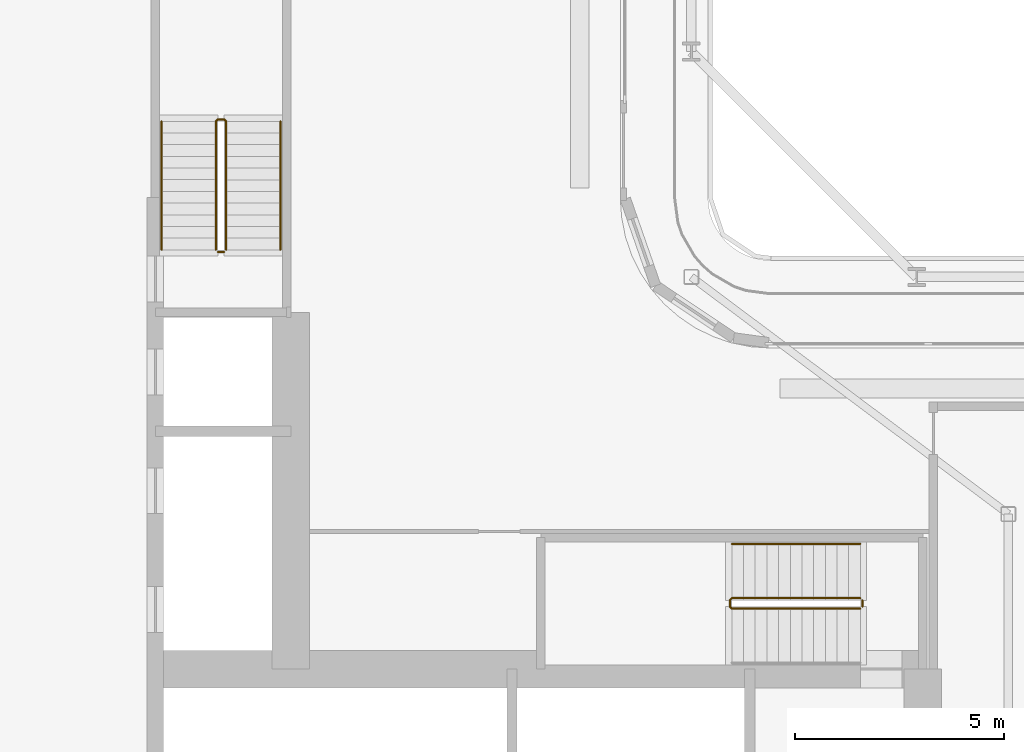
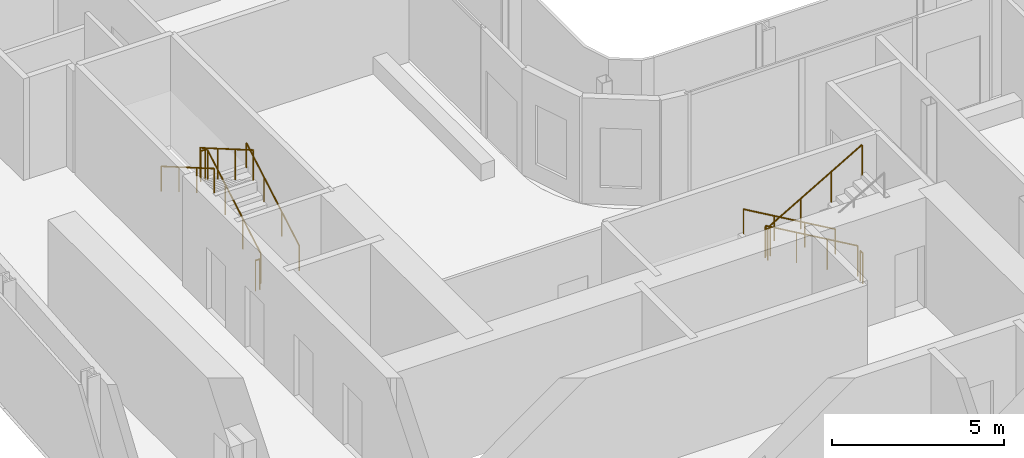
# One storey, part 20 of 25: 7 railings.
"""IFC4 building model written with IfcOpenShell, lengths in metres."""

from ifc_helpers import new_model, si_unit, direction, frame, origin, origin_2d, place, context, subcontext, project, spatial, circle, extrude, material, type_object, element, save


model = new_model("IFC4")

# Units and contexts
model_context = context("Model", 3, precision=1e-05, world=origin(), true_north=direction((0.0, 1.0)))
body_context = subcontext(model_context, "Body", "Model", "MODEL_VIEW")
ifc_project = project(units=[si_unit("LENGTHUNIT", "METRE"), si_unit("AREAUNIT", "SQUARE_METRE"), si_unit("VOLUMEUNIT", "CUBIC_METRE"), si_unit("PLANEANGLEUNIT", "RADIAN"), si_unit("MASSUNIT", "GRAM", prefix="KILO")], contexts=[model_context])

# Site, building, storey
site_placement = place(None, origin())
site = spatial("IfcSite", under=ifc_project, at=site_placement, CompositionType="ELEMENT")
building_placement = place(site_placement, origin())
building = spatial("IfcBuilding", under=site, at=building_placement, Name="Kheshtan School and Residences Tower", CompositionType="ELEMENT")
storey_placement = place(building_placement, frame((0.0, 0.0, 109.699951171875)))
storey = spatial("IfcBuildingStorey", under=building, at=storey_placement, Name="L25", CompositionType="ELEMENT", Elevation=109.699951171875)

# Railings
ifc_material_1 = material(Name="Stainless steel balustrade", Category="steel")
railing_type_1 = type_object("IfcRailingType", Name="Stair guard 1100", PredefinedType="GUARDRAIL", material=ifc_material_1)
railing_1_placement = place(storey_placement, frame((51.64990234375, 37.89990234375, 0.16259765625)))
element("IfcRailing", 1, at=railing_1_placement, inside=storey, type_object=railing_type_1, Name="L25 ST1 stair guard 1", PredefinedType="GUARDRAIL", context=body_context, shape_type="SweptSolid", body=[
    extrude(circle(Radius=0.02392578125, at=origin_2d()), frame((0.0, 0.0, 1.076171875), z_axis=(-0.864903211148, 0.0, 0.501938676878), x_axis=(0.0, -1.0, 0.0)), (0.0, 0.0, 1.0), 3.560791015625),
    extrude(circle(Radius=0.02392578125, at=origin_2d()), frame((-3.079833984375, 0.0, 2.86328125), z_axis=(-0.708833529934, -0.705375805398, 0.0), x_axis=(0.705375805398, -0.708833529934, 0.0)), (0.0, 0.0, 1.0), 0.070556640625),
    extrude(circle(Radius=0.02392578125, at=origin_2d()), frame((-3.1298828125, -0.0498046875, 2.86328125), z_axis=(0.0, -1.0, 0.0), x_axis=(1.0, 0.0, 0.0)), (0.0, 0.0, 1.0), 0.150146484375),
    extrude(circle(Radius=0.02392578125, at=origin_2d()), frame((-3.1298828125, -0.199951171875, 2.86328125), z_axis=(0.282227285176, -0.282227285176, 0.916894497205), x_axis=(0.707106781187, 0.707106781187, 0.0)), (0.0, 0.0, 1.0), 0.17724609375),
    extrude(circle(Radius=0.02392578125, at=origin_2d()), frame((-3.079833984375, -0.25, 3.02587890625), z_axis=(0.864873446163, 0.0, 0.501989962173), x_axis=(0.0, 1.0, 0.0)), (0.0, 0.0, 1.0), 3.56103515625),
    extrude(circle(Radius=0.02099609375, at=origin_2d()), origin(), (0.0, 0.0, 1.0), 1.052001953125),
    extrude(circle(Radius=0.02099609375, at=origin_2d()), frame((-1.026611328125, 0.0, 0.595703125)), (0.0, 0.0, 1.0), 1.052001953125),
    extrude(circle(Radius=0.02099609375, at=origin_2d()), frame((-2.05322265625, 0.0, 1.191650390625)), (0.0, 0.0, 1.0), 1.052001953125),
    extrude(circle(Radius=0.02099609375, at=origin_2d()), frame((-3.079833984375, 0.0, 1.787353515625)), (0.0, 0.0, 1.0), 1.052001953125),
    extrude(circle(Radius=0.02099609375, at=origin_2d()), frame((-3.1298828125, -0.0498046875, 1.787353515625)), (0.0, 0.0, 1.0), 1.052001953125),
    extrude(circle(Radius=0.02099609375, at=origin_2d()), frame((-3.1298828125, -0.199951171875, 1.787353515625)), (0.0, 0.0, 1.0), 1.052001953125),
    extrude(circle(Radius=0.02099609375, at=origin_2d()), frame((-3.079833984375, -0.25, 1.949951171875)), (0.0, 0.0, 1.0), 1.052001953125),
    extrude(circle(Radius=0.02099609375, at=origin_2d()), frame((-2.05322265625, -0.25, 2.5458984375)), (0.0, 0.0, 1.0), 1.052001953125),
    extrude(circle(Radius=0.02099609375, at=origin_2d()), frame((-1.026611328125, -0.25, 3.1416015625)), (0.0, 0.0, 1.0), 1.052001953125),
    extrude(circle(Radius=0.02099609375, at=origin_2d()), frame((0.0, -0.25, 3.737548828125)), (0.0, 0.0, 1.0), 1.052001953125),
])
railing_2_placement = place(storey_placement, frame((51.699951171875, 37.85009765625, 0.0)))
element("IfcRailing", 2, at=railing_2_placement, inside=storey, type_object=railing_type_1, Name="L25 ST1 stair guard 2", PredefinedType="GUARDRAIL", context=body_context, shape_type="SweptSolid", body=[
    extrude(circle(Radius=0.02392578125, at=origin_2d()), frame((0.0, 0.0, 1.076171875), z_axis=(0.0, -1.0, 0.0), x_axis=(1.0, 0.0, 0.0)), (0.0, 0.0, 1.0), 0.150146484375),
    extrude(circle(Radius=0.02099609375, at=origin_2d()), origin(), (0.0, 0.0, 1.0), 1.052001953125),
    extrude(circle(Radius=0.02099609375, at=origin_2d()), frame((0.0, -0.150146484375, 0.0)), (0.0, 0.0, 1.0), 1.052001953125),
])
railing_3_placement = place(storey_placement, frame((36.449951171875, 46.25, 0.16259765625)))
element("IfcRailing", 3, at=railing_3_placement, inside=storey, type_object=railing_type_1, Name="L25 ST2 stair guard 1", PredefinedType="GUARDRAIL", context=body_context, shape_type="SweptSolid", body=[
    extrude(circle(Radius=0.02392578125, at=origin_2d()), frame((0.0, 0.0, 1.076171875), z_axis=(0.0, 0.864920483161, 0.501908913857), x_axis=(-1.0, 0.0, 0.0)), (0.0, 0.0, 1.0), 3.56103515625),
    extrude(circle(Radius=0.02392578125, at=origin_2d()), frame((0.0, 3.080078125, 2.86328125), z_axis=(-0.708833529934, 0.705375805398, 0.0), x_axis=(-0.705375805398, -0.708833529934, 0.0)), (0.0, 0.0, 1.0), 0.070556640625),
    extrude(circle(Radius=0.02392578125, at=origin_2d()), frame((-0.050048828125, 3.1298828125, 2.86328125), z_axis=(-1.0, 0.0, 0.0), x_axis=(0.0, -1.0, 0.0)), (0.0, 0.0, 1.0), 0.14990234375),
    extrude(circle(Radius=0.02392578125, at=origin_2d()), frame((-0.199951171875, 3.1298828125, 2.86328125), z_axis=(-0.282336740067, -0.280959487676, 0.917250092119), x_axis=(0.705375805398, -0.708833529934, 0.0)), (0.0, 0.0, 1.0), 0.17724609375),
    extrude(circle(Radius=0.02392578125, at=origin_2d()), frame((-0.25, 3.080078125, 3.02587890625), z_axis=(0.0, -0.864890721111, 0.501960198159), x_axis=(1.0, 0.0, 0.0)), (0.0, 0.0, 1.0), 3.561279296875),
    extrude(circle(Radius=0.02099609375, at=origin_2d()), origin(), (0.0, 0.0, 1.0), 1.052001953125),
    extrude(circle(Radius=0.02099609375, at=origin_2d()), frame((0.0, 1.026611328125, 0.595703125)), (0.0, 0.0, 1.0), 1.052001953125),
    extrude(circle(Radius=0.02099609375, at=origin_2d()), frame((0.0, 2.053466796875, 1.191650390625)), (0.0, 0.0, 1.0), 1.052001953125),
    extrude(circle(Radius=0.02099609375, at=origin_2d()), frame((0.0, 3.080078125, 1.787353515625)), (0.0, 0.0, 1.0), 1.052001953125),
    extrude(circle(Radius=0.02099609375, at=origin_2d()), frame((-0.050048828125, 3.1298828125, 1.787353515625)), (0.0, 0.0, 1.0), 1.052001953125),
    extrude(circle(Radius=0.02099609375, at=origin_2d()), frame((-0.199951171875, 3.1298828125, 1.787353515625)), (0.0, 0.0, 1.0), 1.052001953125),
    extrude(circle(Radius=0.02099609375, at=origin_2d()), frame((-0.25, 3.080078125, 1.949951171875)), (0.0, 0.0, 1.0), 1.052001953125),
    extrude(circle(Radius=0.02099609375, at=origin_2d()), frame((-0.25, 2.053466796875, 2.5458984375)), (0.0, 0.0, 1.0), 1.052001953125),
    extrude(circle(Radius=0.02099609375, at=origin_2d()), frame((-0.25, 1.026611328125, 3.1416015625)), (0.0, 0.0, 1.0), 1.052001953125),
    extrude(circle(Radius=0.02099609375, at=origin_2d()), frame((-0.25, 0.0, 3.737548828125)), (0.0, 0.0, 1.0), 1.052001953125),
])
railing_4_placement = place(storey_placement, frame((36.39990234375, 46.199951171875, 0.0)))
element("IfcRailing", 4, at=railing_4_placement, inside=storey, type_object=railing_type_1, Name="L25 ST2 stair guard 2", PredefinedType="GUARDRAIL", context=body_context, shape_type="SweptSolid", body=[
    extrude(circle(Radius=0.02392578125, at=origin_2d()), frame((0.0, 0.0, 1.076171875), z_axis=(-1.0, 0.0, 0.0), x_axis=(0.0, -1.0, 0.0)), (0.0, 0.0, 1.0), 0.14990234375),
    extrude(circle(Radius=0.02099609375, at=origin_2d()), origin(), (0.0, 0.0, 1.0), 1.052001953125),
    extrude(circle(Radius=0.02099609375, at=origin_2d()), frame((-0.14990234375, 0.0, 0.0)), (0.0, 0.0, 1.0), 1.052001953125),
])
ifc_material_2 = material(Name="Stainless steel handrail", Category="steel")
railing_type_2 = type_object("IfcRailingType", Name="Stair handrail 900", PredefinedType="HANDRAIL", material=ifc_material_2)
railing_5_placement = place(storey_placement, frame((51.64990234375, 39.199951171875, 0.16259765625)))
element("IfcRailing", 5, at=railing_5_placement, inside=storey, type_object=railing_type_2, Name="L25 ST1 stair handrail 1", PredefinedType="HANDRAIL", context=body_context, shape_type="SweptSolid", body=[
    extrude(circle(Radius=0.02392578125, at=origin_2d()), frame((0.0, 0.0, 0.8759765625), z_axis=(-0.864903211148, 0.0, 0.501938676878), x_axis=(0.0, -1.0, 0.0)), (0.0, 0.0, 1.0), 3.560791015625),
    extrude(circle(Radius=0.02099609375, at=origin_2d()), origin(), (0.0, 0.0, 1.0), 0.851806640625),
    extrude(circle(Radius=0.02099609375, at=origin_2d()), frame((-1.026611328125, 0.0, 0.595703125)), (0.0, 0.0, 1.0), 0.851806640625),
    extrude(circle(Radius=0.02099609375, at=origin_2d()), frame((-2.05322265625, 0.0, 1.191650390625)), (0.0, 0.0, 1.0), 0.851806640625),
    extrude(circle(Radius=0.02099609375, at=origin_2d()), frame((-3.079833984375, 0.0, 1.787353515625)), (0.0, 0.0, 1.0), 0.851806640625),
])
railing_6_placement = place(storey_placement, frame((37.75, 46.25, 0.16259765625)))
element("IfcRailing", 6, at=railing_6_placement, inside=storey, type_object=railing_type_2, Name="L25 ST2 stair handrail 1", PredefinedType="HANDRAIL", context=body_context, shape_type="SweptSolid", body=[
    extrude(circle(Radius=0.02392578125, at=origin_2d()), frame((0.0, 0.0, 0.8759765625), z_axis=(0.0, 0.864920483161, 0.501908913857), x_axis=(-1.0, 0.0, 0.0)), (0.0, 0.0, 1.0), 3.56103515625),
    extrude(circle(Radius=0.02099609375, at=origin_2d()), origin(), (0.0, 0.0, 1.0), 0.851806640625),
    extrude(circle(Radius=0.02099609375, at=origin_2d()), frame((0.0, 1.026611328125, 0.595703125)), (0.0, 0.0, 1.0), 0.851806640625),
    extrude(circle(Radius=0.02099609375, at=origin_2d()), frame((0.0, 2.053466796875, 1.191650390625)), (0.0, 0.0, 1.0), 0.851806640625),
    extrude(circle(Radius=0.02099609375, at=origin_2d()), frame((0.0, 3.080078125, 1.787353515625)), (0.0, 0.0, 1.0), 0.851806640625),
])
railing_7_placement = place(storey_placement, frame((34.89990234375, 49.330078125, 2.112548828125)))
element("IfcRailing", 7, at=railing_7_placement, inside=storey, type_object=railing_type_2, Name="L25 ST2 stair handrail 2", PredefinedType="HANDRAIL", context=body_context, shape_type="SweptSolid", body=[
    extrude(circle(Radius=0.02392578125, at=origin_2d()), frame((0.0, 0.0, 0.8759765625), z_axis=(0.0, -0.864890721111, 0.501960198159), x_axis=(1.0, 0.0, 0.0)), (0.0, 0.0, 1.0), 3.561279296875),
    extrude(circle(Radius=0.02099609375, at=origin_2d()), origin(), (0.0, 0.0, 1.0), 0.851806640625),
    extrude(circle(Radius=0.02099609375, at=origin_2d()), frame((0.0, -1.026611328125, 0.595947265625)), (0.0, 0.0, 1.0), 0.851806640625),
    extrude(circle(Radius=0.02099609375, at=origin_2d()), frame((0.0, -2.053466796875, 1.191650390625)), (0.0, 0.0, 1.0), 0.851806640625),
    extrude(circle(Radius=0.02099609375, at=origin_2d()), frame((0.0, -3.080078125, 1.78759765625)), (0.0, 0.0, 1.0), 0.851806640625),
])

save(model, "model.ifc")
